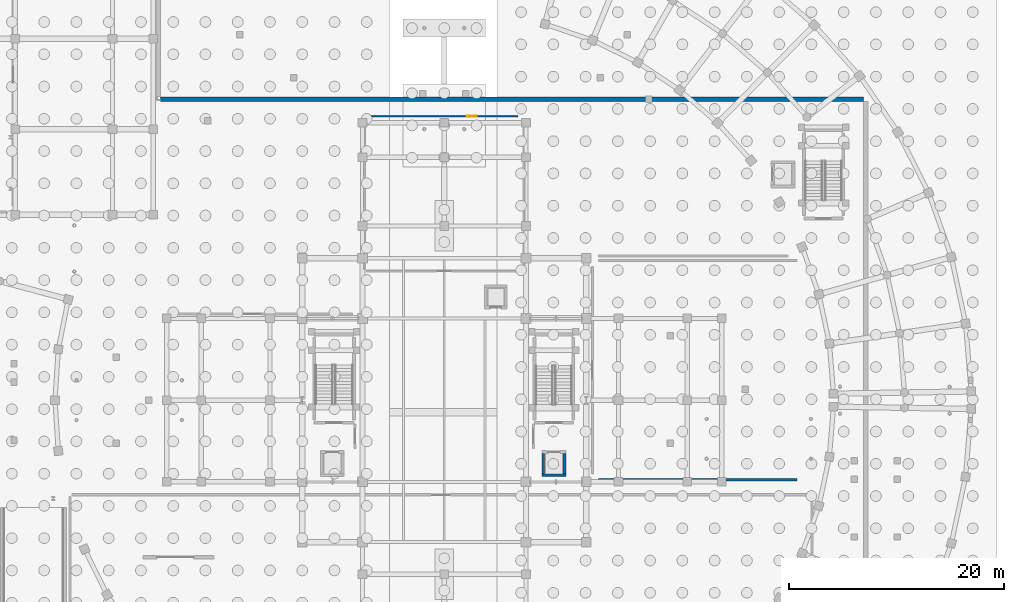
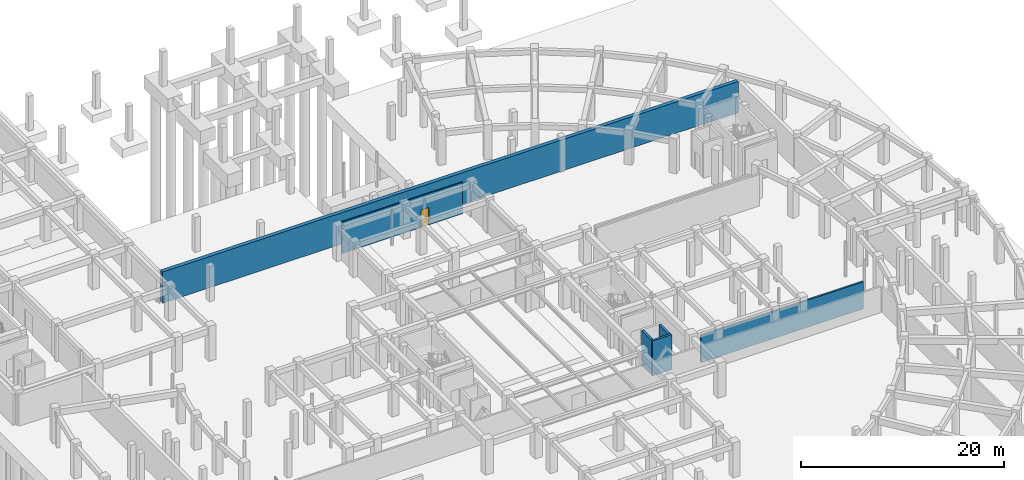
# One storey, part 26 of 33: 6 walls, 1 door, 1 opening.
"""IFC4 building model written with IfcOpenShell, lengths in metres."""

from ifc_helpers import new_model, si_unit, direction, frame, frame_2d, origin, place, context, subcontext, project, spatial, rectangle, extrude, material, layer, layer_set, type_object, element, fill, save


model = new_model("IFC4")

# Units and contexts
model_context = context("Model", 3, precision=1e-05, world=origin(), true_north=direction((0.0, 1.0)))
body_context = subcontext(model_context, "Body", "Model", "MODEL_VIEW")
ifc_project = project(units=[si_unit("LENGTHUNIT", "METRE"), si_unit("AREAUNIT", "SQUARE_METRE"), si_unit("VOLUMEUNIT", "CUBIC_METRE"), si_unit("PLANEANGLEUNIT", "RADIAN"), si_unit("MASSUNIT", "GRAM", prefix="KILO")], contexts=[model_context])

# Site, building, storey
site_placement = place(None, origin())
site = spatial("IfcSite", under=ifc_project, at=site_placement, CompositionType="ELEMENT")
building_placement = place(site_placement, origin())
building = spatial("IfcBuilding", under=site, at=building_placement, Name="Saryqyr Civic Hall", CompositionType="ELEMENT")
storey_placement = place(building_placement, frame((0.0, 0.0, -4.199951171875)))
storey = spatial("IfcBuildingStorey", under=building, at=storey_placement, Name="B1", CompositionType="ELEMENT", Elevation=-4.199951171875)

# Walls
ifc_material_1 = material(Name="Concrete C35/45", Category="concrete")
ifc_layer_1 = layer(ifc_material_1, 0.419921875, Name="Concrete C35/45")
ifc_layer_set_1 = layer_set([ifc_layer_1], Name="Concrete C35/45")
wall_type_1 = type_object("IfcWallType", Name="ENV-WAL-RET-420", PredefinedType="USERDEFINED", material=ifc_layer_set_1)
wall_1_placement = place(storey_placement, frame((30.6201171875, 112.0, 0.0), z_axis=(0.0, 0.0, 1.0), x_axis=(1.0, 0.0, 0.0)))
element("IfcWall", 1, at=wall_1_placement, inside=storey, type_object=wall_type_1, Name="Basement perimeter retaining wall 3", ObjectType="RETAINING", PredefinedType="USERDEFINED", context=body_context, shape_type="SweptSolid", body=[
    extrude(rectangle(XDim=65.35986328125, YDim=0.419921875, at=frame_2d((32.679931640625, 0.0))), origin(), (0.0, 0.0, 1.0), 3.75),
])
ifc_material_2 = material(Name="Autoclaved aerated concrete blockwork", Category="masonry")
ifc_layer_2 = layer(ifc_material_2, 0.199951171875, Name="Autoclaved aerated concrete blockwork")
ifc_layer_set_2 = layer_set([ifc_layer_2], Name="Autoclaved aerated concrete blockwork")
wall_type_2 = type_object("IfcWallType", Name="INT-WAL-FIR-200", PredefinedType="PARTITIONING", material=ifc_layer_set_2)
wall_2_placement = place(storey_placement, frame((89.820068359375, 76.60009765625, 0.0), z_axis=(0.0, 0.0, 1.0), x_axis=(-1.0, 0.0, 0.0)))
element("IfcWall", 2, at=wall_2_placement, inside=storey, type_object=wall_type_2, Name="Interior partition PRT-SP-B1-PLANT-DHS-W2", PredefinedType="PARTITIONING", context=body_context, shape_type="SweptSolid", body=[
    extrude(rectangle(XDim=18.469970703125, YDim=0.199951171875, at=frame_2d((9.23486328125, 0.0))), origin(), (0.0, 0.0, 1.0), 3.2548828125),
])

# Wall, opening, door
ifc_material_3 = material(Name="Metal-stud gypsum board partition", Category="gypsum")
ifc_layer_3 = layer(ifc_material_3, 0.125, Name="Metal-stud gypsum board partition")
ifc_layer_set_3 = layer_set([ifc_layer_3], Name="Metal-stud gypsum board partition")
wall_type_3 = type_object("IfcWallType", Name="INT-WAL-PRT-125", PredefinedType="PARTITIONING", material=ifc_layer_set_3)
wall_3_placement = place(storey_placement, frame((63.85009765625, 110.39990234375, 0.0), z_axis=(0.0, 0.0, 1.0), x_axis=(-1.0, 0.0, 0.0)))
wall_3 = element("IfcWall", 3, at=wall_3_placement, inside=storey, type_object=wall_type_3, Name="Interior partition PRT-SP-B1-CYCLE-W1", PredefinedType="PARTITIONING", context=body_context, shape_type="SweptSolid", body=[
    extrude(rectangle(XDim=13.7001953125, YDim=0.125, at=frame_2d((6.85009765625, 0.0))), origin(), (0.0, 0.0, 1.0), 3.7900390625),
])
opening_placement = place(wall_3_placement, frame((3.840087890625, 0.0, 0.0)))
opening = element("IfcOpeningElement", 4, at=opening_placement, cuts=wall_3, Name="Opening D-01", PredefinedType="OPENING", context=body_context, shape_type="SweptSolid", body=[
    extrude(rectangle(XDim=0.89990234375, YDim=2.10009765625, at=frame_2d((0.449951171875, 1.050048828125))), frame((0.0, 0.072509765625, 0.0), z_axis=(0.0, -1.0, 0.0), x_axis=(1.0, 0.0, 0.0)), (0.0, 0.0, 1.0), 0.14501953125),
])
ifc_material_4 = material(Name="Acoustic solid-core oak veneer", Category="wood")
door_type = type_object("IfcDoorType", Name="INT-DR-D-01", OperationType="NOTDEFINED", PredefinedType="DOOR", material=ifc_material_4)
door_placement = place(opening_placement, origin())
door = element("IfcDoor", 5, at=door_placement, inside=storey, type_object=door_type, Name="Interior door Secure Staff Cycle Store and Maintenance Workshop", OperationType="SINGLE_SWING_RIGHT", OverallHeight=2.10009765625, OverallWidth=0.89990234375, PredefinedType="DOOR", context=body_context, shape_type="SweptSolid", body=[
    extrude(rectangle(XDim=0.89990234375, YDim=2.10009765625, at=frame_2d((0.449951171875, 1.050048828125))), frame((0.0, 0.02490234375, 0.0), z_axis=(0.0, -1.0, 0.0), x_axis=(1.0, 0.0, 0.0)), (0.0, 0.0, 1.0), 0.050048828125),
])
fill(opening, door)

# Walls
ifc_material_5 = material(Name="Concrete C40/50", Category="concrete")
ifc_layer_4 = layer(ifc_material_5, 0.239990234375, Name="Concrete C40/50")
ifc_layer_set_4 = layer_set([ifc_layer_4], Name="Concrete C40/50")
wall_type_4 = type_object("IfcWallType", Name="INT-WAL-SHR-240", PredefinedType="SHEAR", material=ifc_layer_set_4)
wall_4_placement = place(storey_placement, frame((68.300048828125, 77.02001953125, 0.0), z_axis=(0.0, 0.0, 1.0), x_axis=(-1.0, 0.0, 0.0)))
element("IfcWall", 6, at=wall_4_placement, inside=storey, type_object=wall_type_4, Name="Lift shaft shear wall LF-02-SHW-S-B1", PredefinedType="SHEAR", context=body_context, shape_type="SweptSolid", body=[
    extrude(rectangle(XDim=2.199951171875, YDim=0.239990234375, at=frame_2d((1.10009765625, 0.0))), origin(), (0.0, 0.0, 1.0), 4.199951171875),
])
for number, where, z_axis, x_axis, name in (
    (7, (68.179931640625, 79.06005859375, 0.0), (0.0, 0.0, 1.0), (0.0, -1.0, 0.0), "Lift shaft shear wall LF-02-SHW-E-B1"),
    (8, (66.219970703125, 77.139892578125, 0.0), (0.0, 0.0, 1.0), (0.0, 1.0, 0.0), "Lift shaft shear wall LF-02-SHW-W-B1"),
):
    element("IfcWall", number, at=place(storey_placement, frame(where, z_axis=z_axis, x_axis=x_axis)), inside=storey, type_object=wall_type_4, Name=name, PredefinedType="SHEAR", context=body_context, shape_type="SweptSolid", body=[
        extrude(rectangle(XDim=1.920166015625, YDim=0.239990234375, at=frame_2d((0.9599609375, 0.0))), origin(), (0.0, 0.0, 1.0), 4.199951171875),
    ])

save(model, "model.ifc")
